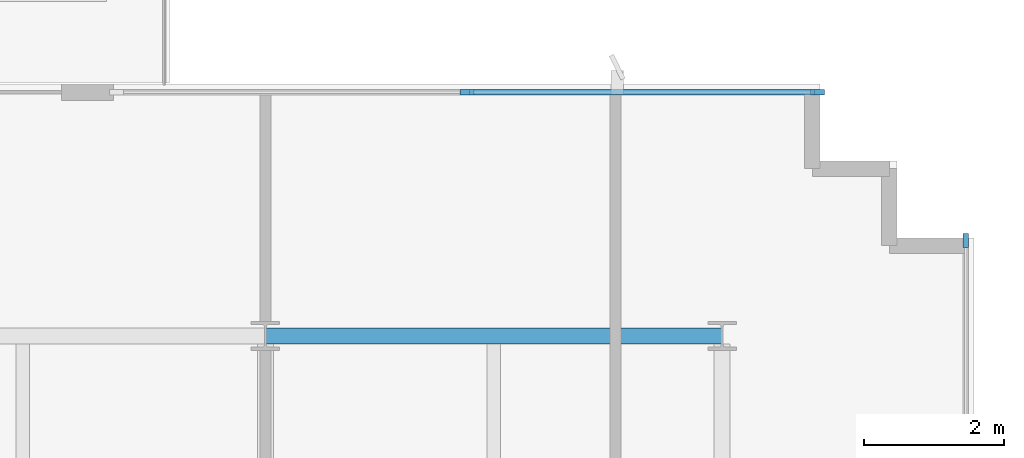
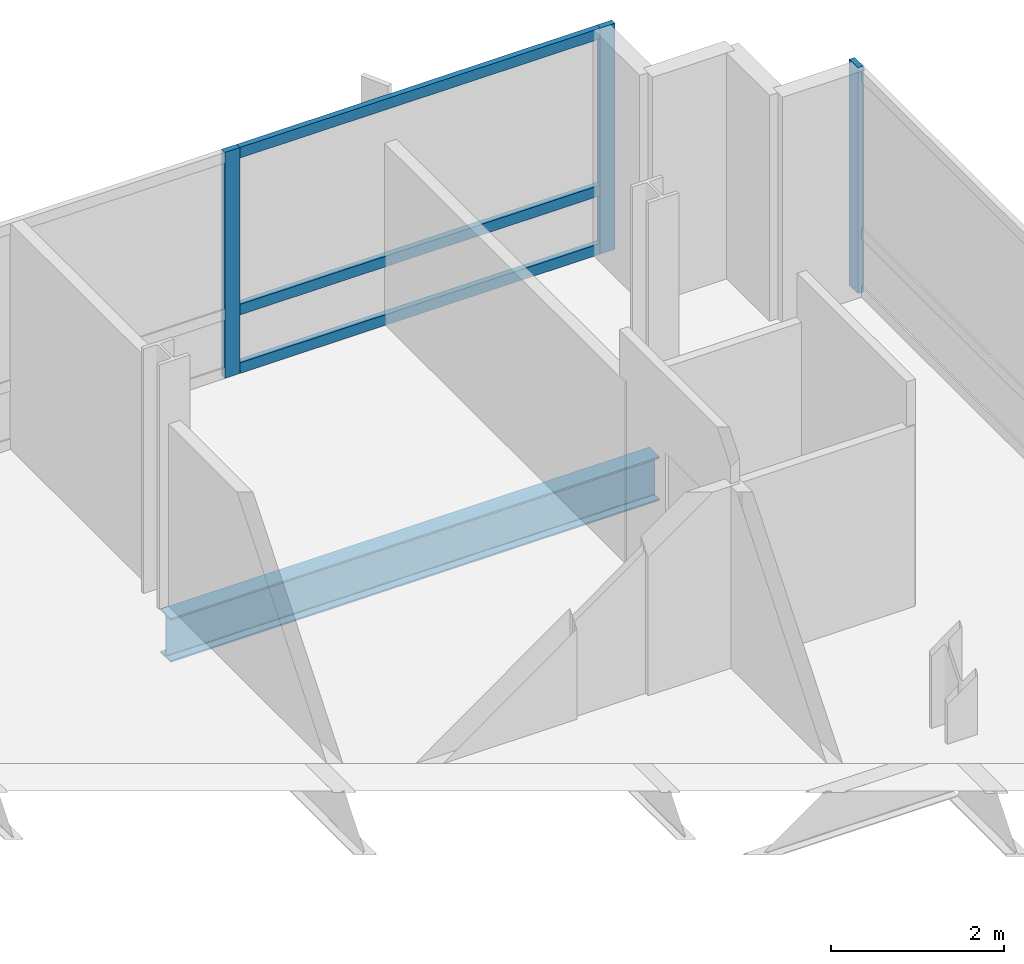
# One storey, part 6 of 14: 6 members, 1 beam, 2 elements without a shape of their own.
"""IFC4 building model written with IfcOpenShell, lengths in metres."""

from ifc_helpers import new_model, si_unit, direction, frame, origin, origin_2d, place, context, subcontext, project, spatial, rectangle, i_section, extrude, material, material_profile, profile_set, type_object, element, aggregate, save


model = new_model("IFC4")

# Units and contexts
model_context = context("Model", 3, precision=1e-05, world=origin(), true_north=direction((0.0, 1.0)))
body_context = subcontext(model_context, "Body", "Model", "MODEL_VIEW")
ifc_project = project(units=[si_unit("LENGTHUNIT", "METRE"), si_unit("AREAUNIT", "SQUARE_METRE"), si_unit("VOLUMEUNIT", "CUBIC_METRE"), si_unit("PLANEANGLEUNIT", "RADIAN"), si_unit("MASSUNIT", "GRAM", prefix="KILO")], contexts=[model_context])

# Site, building, storey
site_placement = place(None, origin())
site = spatial("IfcSite", under=ifc_project, at=site_placement, CompositionType="ELEMENT")
building_placement = place(site_placement, origin())
building = spatial("IfcBuilding", under=site, at=building_placement, Name="Solmavex Isthmus Hotel", CompositionType="ELEMENT")
storey_placement = place(building_placement, frame((0.0, 0.0, 248.85009765625)))
storey = spatial("IfcBuildingStorey", under=building, at=storey_placement, Name="L67", CompositionType="ELEMENT", Elevation=248.85009765625)

# Beam
ifc_material_1 = material(Name="Steel ASTM A992 Grade 50", Category="steel")
ifc_material_profile_1 = material_profile(ifc_material_1, i_section(OverallWidth=0.230224609375, OverallDepth=0.617431640625, WebThickness=0.01318359375, FlangeThickness=0.022216796875, FilletRadius=0.01513671875, at=origin_2d()), Name="W24X94")
ifc_profile_set_1 = profile_set([ifc_material_profile_1], Name="Steel ASTM A992 Grade 50")
beam_type = type_object("IfcBeamType", Name="BM-SP-W24X94", PredefinedType="SPANDREL", material=ifc_profile_set_1)
beam_placement = place(storey_placement, frame((13.8720703125, 17.699951171875, -0.56884765625), z_axis=(1.0, 0.0, 0.0), x_axis=(0.0, 1.0, 0.0)))
element("IfcBeam", 1, at=beam_placement, inside=storey, type_object=beam_type, Name="Floor Girder L67-UG20", PredefinedType="SPANDREL", context=body_context, shape_type="SweptSolid", body=[
    extrude(i_section(OverallWidth=0.230224609375, OverallDepth=0.617431640625, WebThickness=0.01318359375, FlangeThickness=0.022216796875, FilletRadius=0.01513671875, at=origin_2d()), origin(), (0.0, 0.0, 1.0), 6.52783203125),
])

# Curtain wall, members
ifc_material_2 = material(Name="Aluminium alloy 6063-T6", Category="aluminium")
curtain_wall_type = type_object("IfcCurtainWallType", Name="CW-SYS-04", PredefinedType="NOTDEFINED", material=ifc_material_2)
curtain_wall_1_placement = place(storey_placement, origin())
curtain_wall_1 = element("IfcCurtainWall", 2, at=curtain_wall_1_placement, inside=storey, type_object=curtain_wall_type, Name="Stick Curtain Wall CWL-L67-N3", PredefinedType="NOTDEFINED")
ifc_material_profile_2 = material_profile(ifc_material_2, rectangle(XDim=0.074951171875, YDim=0.199951171875, at=origin_2d()), Name="CWM-75X200")
ifc_profile_set_2 = profile_set([ifc_material_profile_2], Name="Aluminium alloy 6063-T6")
member_type_1 = type_object("IfcMemberType", Name="CW-SYS-04-MUL", PredefinedType="MULLION", material=ifc_profile_set_2)
member_1_placement = place(storey_placement, frame((16.751953125, 21.179931640625, 0.0), z_axis=(0.0, 0.0, 1.0), x_axis=(0.0, 1.0, 0.0)))
member_1 = element("IfcMember", 3, at=member_1_placement, type_object=member_type_1, Name="CW-04 mullion 2", PredefinedType="MULLION", context=body_context, shape_type="SweptSolid", body=[
    extrude(rectangle(XDim=0.074951171875, YDim=0.199951171875, at=origin_2d()), origin(), (0.0, 0.0, 1.0), 3.18994140625),
])
member_2_placement = place(storey_placement, frame((21.762451171875, 21.179931640625, 0.0), z_axis=(0.0, 0.0, 1.0), x_axis=(0.0, 1.0, 0.0)))
member_2 = element("IfcMember", 4, at=member_2_placement, type_object=member_type_1, Name="CW-04 mullion 3", PredefinedType="MULLION", context=body_context, shape_type="SweptSolid", body=[
    extrude(rectangle(XDim=0.074951171875, YDim=0.199951171875, at=origin_2d()), origin(), (0.0, 0.0, 1.0), 3.18994140625),
])

# Curtain wall, member
curtain_wall_2_placement = place(storey_placement, origin())
curtain_wall_2 = element("IfcCurtainWall", 5, at=curtain_wall_2_placement, inside=storey, type_object=curtain_wall_type, Name="Stick Curtain Wall CWL-L67-E1", PredefinedType="NOTDEFINED")
member_3_placement = place(storey_placement, frame((23.8798828125, 19.0625, 0.0), z_axis=(0.0, 0.0, 1.0), x_axis=(-1.0, 0.0, 0.0)))
member_3 = element("IfcMember", 6, at=member_3_placement, type_object=member_type_1, Name="CW-04 mullion 6", PredefinedType="MULLION", context=body_context, shape_type="SweptSolid", body=[
    extrude(rectangle(XDim=0.074951171875, YDim=0.199951171875, at=origin_2d()), origin(), (0.0, 0.0, 1.0), 3.18994140625),
])
aggregate(curtain_wall_2, [member_3])

# Member
ifc_material_profile_3 = material_profile(ifc_material_2, rectangle(XDim=0.074951171875, YDim=0.14990234375, at=origin_2d()), Name="CWT-75X150")
ifc_profile_set_3 = profile_set([ifc_material_profile_3], Name="Aluminium alloy 6063-T6")
member_type_2 = type_object("IfcMemberType", Name="CW-SYS-04-TRN", PredefinedType="USERDEFINED", material=ifc_profile_set_3)
member_4_placement = place(storey_placement, frame((16.78955078125, 21.179931640625, 0.074951171875), z_axis=(1.0, 0.0, 0.0), x_axis=(0.0, 1.0, 0.0)))
member_4 = element("IfcMember", 7, at=member_4_placement, type_object=member_type_2, Name="CW-04 transom 2.1", ObjectType="TRANSOM", PredefinedType="USERDEFINED", context=body_context, shape_type="SweptSolid", body=[
    extrude(rectangle(XDim=0.074951171875, YDim=0.14990234375, at=origin_2d()), origin(), (0.0, 0.0, 1.0), 4.935546875),
])

member_5_placement = place(storey_placement, frame((16.78955078125, 21.179931640625, 0.89990234375), z_axis=(1.0, 0.0, 0.0), x_axis=(0.0, 1.0, 0.0)))
member_5 = element("IfcMember", 8, at=member_5_placement, type_object=member_type_2, Name="CW-04 transom 2.2", ObjectType="TRANSOM", PredefinedType="USERDEFINED", context=body_context, shape_type="SweptSolid", body=[
    extrude(rectangle(XDim=0.074951171875, YDim=0.14990234375, at=origin_2d()), origin(), (0.0, 0.0, 1.0), 4.935546875),
])

member_6_placement = place(storey_placement, frame((16.78955078125, 21.179931640625, 3.114990234375), z_axis=(1.0, 0.0, 0.0), x_axis=(0.0, 1.0, 0.0)))
member_6 = element("IfcMember", 9, at=member_6_placement, type_object=member_type_2, Name="CW-04 transom 2.3", ObjectType="TRANSOM", PredefinedType="USERDEFINED", context=body_context, shape_type="SweptSolid", body=[
    extrude(rectangle(XDim=0.074951171875, YDim=0.14990234375, at=origin_2d()), origin(), (0.0, 0.0, 1.0), 4.935546875),
])

aggregate(curtain_wall_1, [member_1, member_2, member_4, member_5, member_6])

save(model, "model.ifc")
